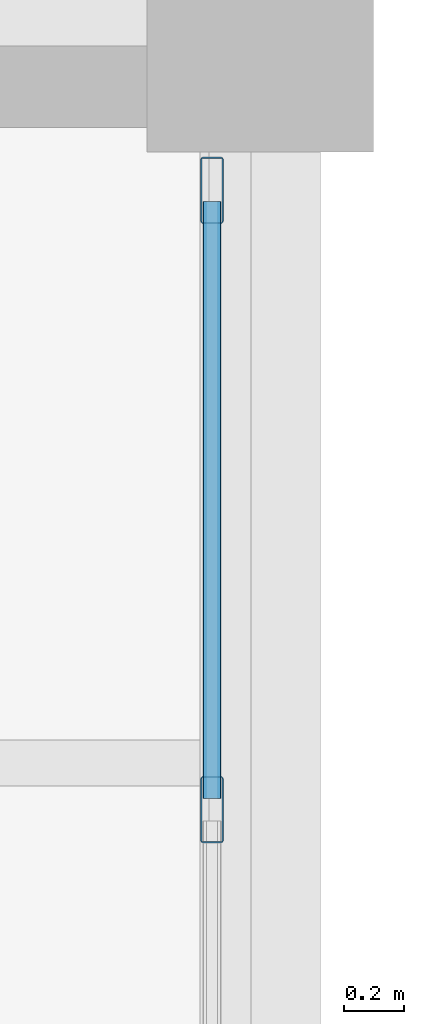
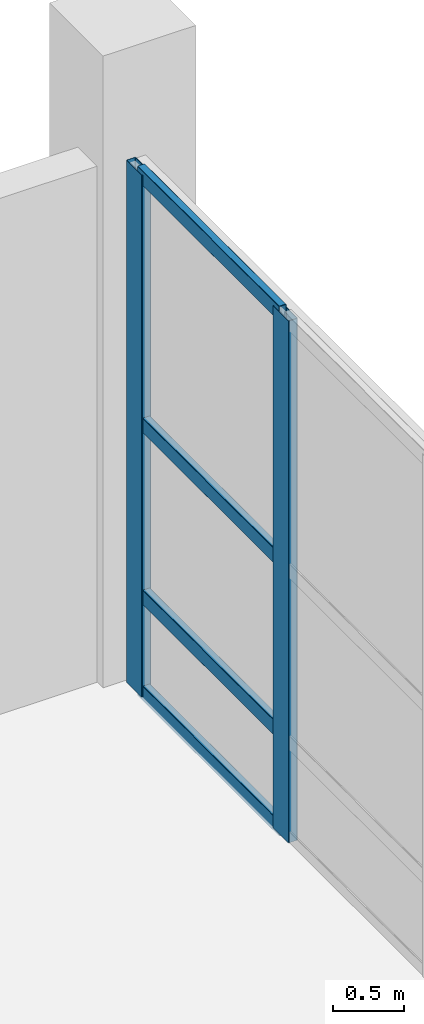
# One storey, part 83 of 137: 6 members, 1 element without a shape of its own.
"""IFC4 building model written with IfcOpenShell, lengths in metres."""

from ifc_helpers import new_model, si_unit, direction, frame, origin, origin_2d, place, context, subcontext, project, spatial, hollow_rectangle, extrude, material, material_profile, profile_set, type_object, element, aggregate, save


model = new_model("IFC4")

# Units and contexts
model_context = context("Model", 3, precision=1e-05, world=origin(), true_north=direction((0.0, 1.0)))
body_context = subcontext(model_context, "Body", "Model", "MODEL_VIEW")
ifc_project = project(units=[si_unit("LENGTHUNIT", "METRE"), si_unit("AREAUNIT", "SQUARE_METRE"), si_unit("VOLUMEUNIT", "CUBIC_METRE"), si_unit("PLANEANGLEUNIT", "RADIAN"), si_unit("MASSUNIT", "GRAM", prefix="KILO")], contexts=[model_context])

# Site, building, storey
site_placement = place(None, origin())
site = spatial("IfcSite", under=ifc_project, at=site_placement, CompositionType="ELEMENT")
building_placement = place(site_placement, origin())
building = spatial("IfcBuilding", under=site, at=building_placement, Name="Kalmorath City Hall", CompositionType="ELEMENT")
storey_placement = place(building_placement, origin())
storey = spatial("IfcBuildingStorey", under=building, at=storey_placement, Name="L00", CompositionType="ELEMENT", Elevation=0.0)

# Curtain wall, members
ifc_material_1 = material(Name="Anodised aluminium and laminated glass", Category="aluminium")
curtain_wall_type = type_object("IfcCurtainWallType", Name="Unitised hurricane curtain wall 6270x4461 M1850", PredefinedType="NOTDEFINED", material=ifc_material_1)
curtain_wall_placement = place(storey_placement, origin())
curtain_wall = element("IfcCurtainWall", 1, at=curtain_wall_placement, inside=storey, type_object=curtain_wall_type, Name="L00 curtain wall CW-63X45M18 #1", PredefinedType="NOTDEFINED")
ifc_material_2 = material(Name="Anodised aluminium framing", Category="aluminium")
ifc_material_profile_1 = material_profile(ifc_material_2, hollow_rectangle(XDim=0.06005859375, YDim=0.1298828125, WallThickness=0.00341796875, InnerFilletRadius=0.00341796875, OuterFilletRadius=0.007080078125, at=origin_2d()), Name="ALU-TRN-130X60X3.5")
ifc_profile_set_1 = profile_set([ifc_material_profile_1], Name="Anodised aluminium framing")
member_type_1 = type_object("IfcMemberType", Name="Curtain-wall courtyard transom 130x60", PredefinedType="USERDEFINED", material=ifc_profile_set_1)
member_1_placement = place(storey_placement, frame((129.43994140625, 114.659912109375, 0.030029296875), z_axis=(0.0, -1.0, 0.0), x_axis=(1.0, 0.0, 0.0)))
member_1 = element("IfcMember", 2, at=member_1_placement, type_object=member_type_1, Name="CW-63X45M18 transom 1.1", ObjectType="TRANSOM", PredefinedType="USERDEFINED", context=body_context, shape_type="SweptSolid", body=[
    extrude(hollow_rectangle(XDim=0.06005859375, YDim=0.1298828125, WallThickness=0.00341796875, InnerFilletRadius=0.00341796875, OuterFilletRadius=0.007080078125, at=origin_2d()), origin(), (0.0, 0.0, 1.0), 1.977294921875),
])
member_2_placement = place(storey_placement, frame((129.43994140625, 114.659912109375, 0.85009765625), z_axis=(0.0, -1.0, 0.0), x_axis=(1.0, 0.0, 0.0)))
member_2 = element("IfcMember", 3, at=member_2_placement, type_object=member_type_1, Name="CW-63X45M18 transom 1.2", ObjectType="TRANSOM", PredefinedType="USERDEFINED", context=body_context, shape_type="SweptSolid", body=[
    extrude(hollow_rectangle(XDim=0.06005859375, YDim=0.1298828125, WallThickness=0.00341796875, InnerFilletRadius=0.00341796875, OuterFilletRadius=0.007080078125, at=origin_2d()), origin(), (0.0, 0.0, 1.0), 1.977294921875),
])
member_3_placement = place(storey_placement, frame((129.43994140625, 114.659912109375, 2.320068359375), z_axis=(0.0, -1.0, 0.0), x_axis=(1.0, 0.0, 0.0)))
member_3 = element("IfcMember", 4, at=member_3_placement, type_object=member_type_1, Name="CW-63X45M18 transom 1.3", ObjectType="TRANSOM", PredefinedType="USERDEFINED", context=body_context, shape_type="SweptSolid", body=[
    extrude(hollow_rectangle(XDim=0.06005859375, YDim=0.1298828125, WallThickness=0.00341796875, InnerFilletRadius=0.00341796875, OuterFilletRadius=0.007080078125, at=origin_2d()), origin(), (0.0, 0.0, 1.0), 1.977294921875),
])
member_4_placement = place(storey_placement, frame((129.43994140625, 114.659912109375, 4.430908203125), z_axis=(0.0, -1.0, 0.0), x_axis=(1.0, 0.0, 0.0)))
member_4 = element("IfcMember", 5, at=member_4_placement, type_object=member_type_1, Name="CW-63X45M18 transom 1.4", ObjectType="TRANSOM", PredefinedType="USERDEFINED", context=body_context, shape_type="SweptSolid", body=[
    extrude(hollow_rectangle(XDim=0.06005859375, YDim=0.1298828125, WallThickness=0.00341796875, InnerFilletRadius=0.00341796875, OuterFilletRadius=0.007080078125, at=origin_2d()), origin(), (0.0, 0.0, 1.0), 1.977294921875),
])
ifc_material_3 = material(Name="Anodised aluminium framing", Category="aluminium")
ifc_material_profile_2 = material_profile(ifc_material_3, hollow_rectangle(XDim=0.074951171875, YDim=0.219970703125, WallThickness=0.00390625, InnerFilletRadius=0.00390625, OuterFilletRadius=0.008056640625, at=origin_2d()), Name="ALU-MUL-220X75X4")
ifc_profile_set_2 = profile_set([ifc_material_profile_2], Name="Anodised aluminium framing")
member_type_2 = type_object("IfcMemberType", Name="Curtain-wall primary mullion 220x75", PredefinedType="MULLION", material=ifc_profile_set_2)
member_5_placement = place(storey_placement, frame((129.43994140625, 114.697509765625, 0.0), z_axis=(0.0, 0.0, 1.0), x_axis=(1.0, 0.0, 0.0)))
member_5 = element("IfcMember", 6, at=member_5_placement, type_object=member_type_2, Name="CW-63X45M18 mullion 1", PredefinedType="MULLION", context=body_context, shape_type="SweptSolid", body=[
    extrude(hollow_rectangle(XDim=0.074951171875, YDim=0.219970703125, WallThickness=0.00390625, InnerFilletRadius=0.00390625, OuterFilletRadius=0.008056640625, at=origin_2d()), origin(), (0.0, 0.0, 1.0), 4.4609375),
])
member_6_placement = place(storey_placement, frame((129.43994140625, 112.64501953125, 0.0), z_axis=(0.0, 0.0, 1.0), x_axis=(1.0, 0.0, 0.0)))
member_6 = element("IfcMember", 7, at=member_6_placement, type_object=member_type_2, Name="CW-63X45M18 mullion 2", PredefinedType="MULLION", context=body_context, shape_type="SweptSolid", body=[
    extrude(hollow_rectangle(XDim=0.074951171875, YDim=0.219970703125, WallThickness=0.00390625, InnerFilletRadius=0.00390625, OuterFilletRadius=0.008056640625, at=origin_2d()), origin(), (0.0, 0.0, 1.0), 4.4609375),
])
aggregate(curtain_wall, [member_5, member_6, member_1, member_2, member_3, member_4])

save(model, "model.ifc")
